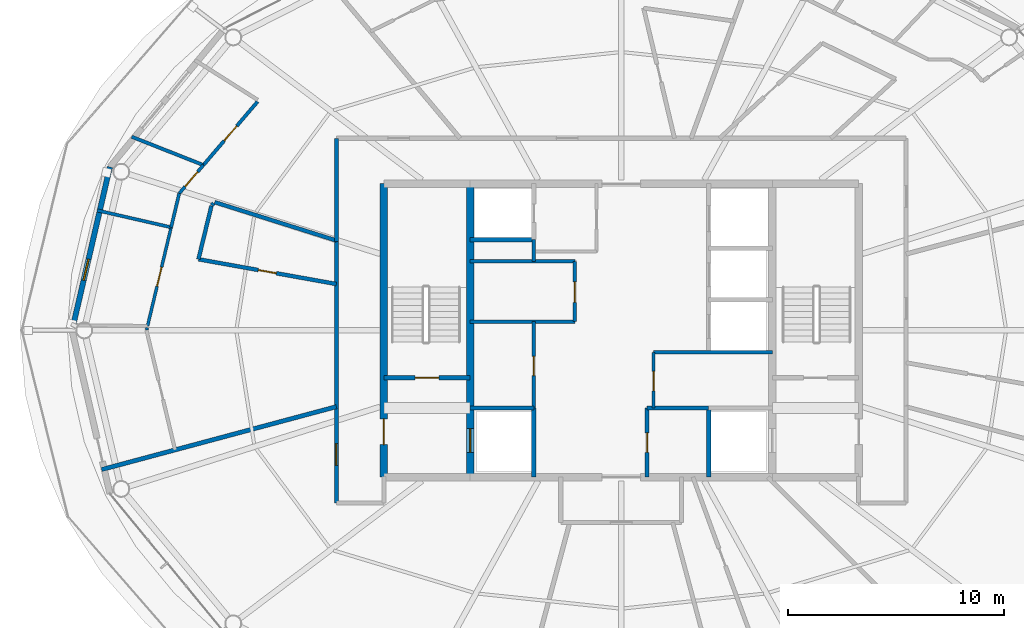
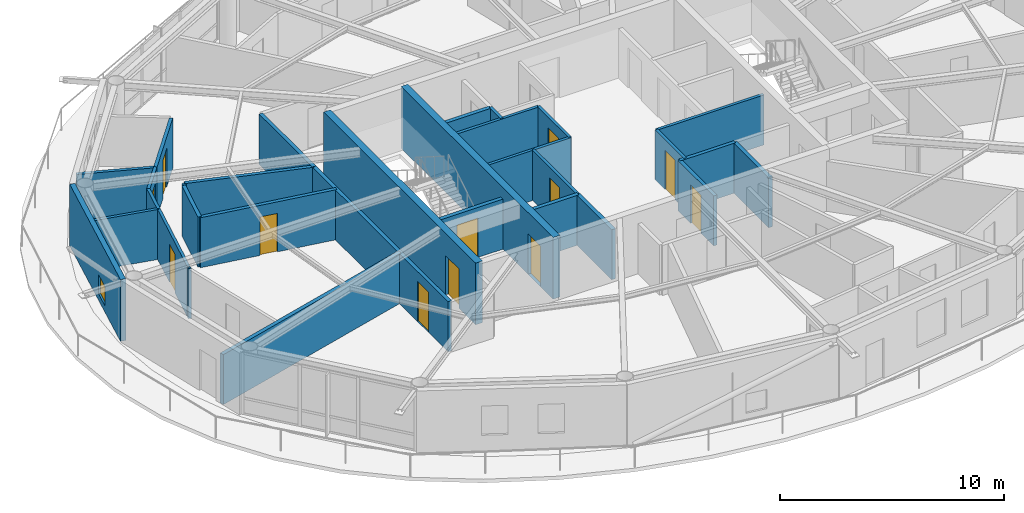
# One storey, part 16 of 23: 31 walls, 12 doors, 1 window, 13 openings.
"""IFC4 building model written with IfcOpenShell, lengths in metres."""

from ifc_helpers import new_model, si_unit, direction, frame, frame_2d, origin, place, context, subcontext, project, spatial, rectangle, extrude, material, layer, layer_set, type_object, element, fill, save


model = new_model("IFC4")

# Units and contexts
model_context = context("Model", 3, precision=1e-05, world=origin(), true_north=direction((0.0, 1.0)))
body_context = subcontext(model_context, "Body", "Model", "MODEL_VIEW")
ifc_project = project(units=[si_unit("LENGTHUNIT", "METRE"), si_unit("AREAUNIT", "SQUARE_METRE"), si_unit("VOLUMEUNIT", "CUBIC_METRE"), si_unit("PLANEANGLEUNIT", "RADIAN"), si_unit("MASSUNIT", "GRAM", prefix="KILO")], contexts=[model_context])

# Site, building, storey
site_placement = place(None, origin())
site = spatial("IfcSite", under=ifc_project, at=site_placement, CompositionType="ELEMENT")
building_placement = place(site_placement, origin())
building = spatial("IfcBuilding", under=site, at=building_placement, Name="Sarneth Arch Tower", CompositionType="ELEMENT")
storey_placement = place(building_placement, frame((0.0, 0.0, 265.800048828125)))
storey = spatial("IfcBuildingStorey", under=building, at=storey_placement, Name="L68", CompositionType="ELEMENT", Elevation=265.800048828125)

# Wall, opening, door
ifc_material_1 = material(Name="Concrete C50/60", Category="concrete")
ifc_layer_1 = layer(ifc_material_1, 0.35009765625)
ifc_layer_set_1 = layer_set([ifc_layer_1], Name="Concrete C50/60")
wall_type_1 = type_object("IfcWallType", Name="WALL-CORE-350", PredefinedType="SHEAR", material=ifc_layer_set_1)
wall_1_placement = place(storey_placement, frame((37.0, 35.199951171875, 0.0), z_axis=(0.0, 0.0, 1.0), x_axis=(0.0, 1.0, 0.0)))
wall_1 = element("IfcWall", 1, at=wall_1_placement, inside=storey, type_object=wall_type_1, Name="L68 Core shear wall W", PredefinedType="SHEAR", context=body_context, shape_type="SweptSolid", body=[
    extrude(rectangle(XDim=13.60009765625, YDim=0.35009765625, at=frame_2d((6.800048828125, 0.0))), origin(), (0.0, 0.0, 1.0), 3.369873046875),
])
opening_1_placement = place(wall_1_placement, frame((1.5, 0.0, 0.0)))
opening_1 = element("IfcOpeningElement", 2, at=opening_1_placement, cuts=wall_1, Name="Opening FD-02", PredefinedType="OPENING", context=body_context, shape_type="SweptSolid", body=[
    extrude(rectangle(XDim=1.199951171875, YDim=2.14990234375, at=frame_2d((0.60009765625, 1.074951171875))), frame((0.0, 0.18505859375, 0.0), z_axis=(0.0, -1.0, 0.0), x_axis=(1.0, 0.0, 0.0)), (0.0, 0.0, 1.0), 0.3701171875),
])
ifc_material_2 = material(Name="Galvanised Steel S275 fire door set", Category="steel")
door_type_1 = type_object("IfcDoorType", Name="DR-FD90-1200", OperationType="SINGLE_SWING_LEFT", PredefinedType="DOOR", material=ifc_material_2)
door_1_placement = place(opening_1_placement, origin())
door_1 = element("IfcDoor", 3, at=door_1_placement, inside=storey, type_object=door_type_1, Name="L68 Firefighting lobby 1 exit door", OperationType="SINGLE_SWING_LEFT", OverallHeight=2.14990234375, OverallWidth=1.199951171875, PredefinedType="DOOR", context=body_context, shape_type="SweptSolid", body=[
    extrude(rectangle(XDim=1.199951171875, YDim=2.14990234375, at=frame_2d((0.60009765625, 1.074951171875))), frame((0.0, 0.02490234375, 0.0), z_axis=(0.0, -1.0, 0.0), x_axis=(1.0, 0.0, 0.0)), (0.0, 0.0, 1.0), 0.050048828125),
])
fill(opening_1, door_1)

wall_2_placement = place(storey_placement, frame((41.0, 35.199951171875, 0.0), z_axis=(0.0, 0.0, 1.0), x_axis=(0.0, 1.0, 0.0)))
wall_2 = element("IfcWall", 4, at=wall_2_placement, inside=storey, type_object=wall_type_1, Name="L68 Core shear wall WEB-W", PredefinedType="SHEAR", context=body_context, shape_type="SweptSolid", body=[
    extrude(rectangle(XDim=13.60009765625, YDim=0.35009765625, at=frame_2d((6.800048828125, 0.0))), origin(), (0.0, 0.0, 1.0), 3.369873046875),
])
opening_2_placement = place(wall_2_placement, frame((1.14990234375, 0.0, 0.0)))
opening_2 = element("IfcOpeningElement", 5, at=opening_2_placement, cuts=wall_2, Name="Opening LD-1", PredefinedType="OPENING", context=body_context, shape_type="SweptSolid", body=[
    extrude(rectangle(XDim=1.10009765625, YDim=2.199951171875, at=frame_2d((0.550048828125, 1.10009765625))), frame((0.0, 0.18505859375, 0.0), z_axis=(0.0, -1.0, 0.0), x_axis=(1.0, 0.0, 0.0)), (0.0, 0.0, 1.0), 0.3701171875),
])
ifc_material_3 = material(Name="Brushed Stainless Steel 304 lift landing door", Category="steel")
door_type_2 = type_object("IfcDoorType", Name="DR-LIFT-SLIDE-1100", OperationType="SLIDING_TO_LEFT", PredefinedType="DOOR", material=ifc_material_3)
door_2_placement = place(opening_2_placement, origin())
door_2 = element("IfcDoor", 6, at=door_2_placement, inside=storey, type_object=door_type_2, Name="L68 Firefighting lift landing door FL-1", OperationType="SLIDING_TO_LEFT", OverallHeight=2.199951171875, OverallWidth=1.10009765625, PredefinedType="DOOR", context=body_context, shape_type="SweptSolid", body=[
    extrude(rectangle(XDim=1.10009765625, YDim=2.199951171875, at=frame_2d((0.550048828125, 1.10009765625))), frame((0.0, 0.02490234375, 0.0), z_axis=(0.0, -1.0, 0.0), x_axis=(1.0, 0.0, 0.0)), (0.0, 0.0, 1.0), 0.050048828125),
])
fill(opening_2, door_2)

ifc_material_4 = material(Name="Double steel-stud corridor fire wall", Category="steel")
ifc_layer_2 = layer(ifc_material_4, 0.18994140625)
ifc_layer_set_2 = layer_set([ifc_layer_2], Name="Double steel-stud corridor fire wall")
wall_type_2 = type_object("IfcWallType", Name="WALL-CORR-190", PredefinedType="PARTITIONING", material=ifc_layer_set_2)
wall_3_placement = place(storey_placement, frame((34.800048828125, 34.0, 0.0), z_axis=(0.0, 0.0, 1.0), x_axis=(0.0, 1.0, 0.0)))
wall_3 = element("IfcWall", 7, at=wall_3_placement, inside=storey, type_object=wall_type_2, Name="L68 Interior partition W-L68-TP-007", PredefinedType="PARTITIONING", context=body_context, shape_type="SweptSolid", body=[
    extrude(rectangle(XDim=12.195556640625, YDim=0.18994140625, at=frame_2d((6.09765625, 0.0))), origin(), (0.0, 0.0, 1.0), 2.72998046875),
])
opening_3_placement = place(wall_3_placement, frame((1.748046875, 0.0, 0.0)))
opening_3 = element("IfcOpeningElement", 8, at=opening_3_placement, cuts=wall_3, Name="Opening FD-08", PredefinedType="OPENING", context=body_context, shape_type="SweptSolid", body=[
    extrude(rectangle(XDim=1.0, YDim=2.199951171875, at=frame_2d((0.5, 1.10009765625))), frame((0.0, 0.10498046875, 0.0), z_axis=(0.0, -1.0, 0.0), x_axis=(1.0, 0.0, 0.0)), (0.0, 0.0, 1.0), 0.2099609375),
])
ifc_material_5 = material(Name="Hardwood timber acoustic fire door", Category="wood")
door_type_3 = type_object("IfcDoorType", Name="DR-FD60-1000", OperationType="SINGLE_SWING_LEFT", PredefinedType="DOOR", material=ifc_material_5)
door_3_placement = place(opening_3_placement, origin())
door_3 = element("IfcDoor", 9, at=door_3_placement, inside=storey, type_object=door_type_3, Name="L68 Interior door DR-L68-RAMN-04", OperationType="SINGLE_SWING_LEFT", OverallHeight=2.199951171875, OverallWidth=1.0, PredefinedType="DOOR", context=body_context, shape_type="SweptSolid", body=[
    extrude(rectangle(XDim=1.0, YDim=2.199951171875, at=frame_2d((0.5, 1.10009765625))), frame((0.0, 0.02490234375, 0.0), z_axis=(0.0, -1.0, 0.0), x_axis=(1.0, 0.0, 0.0)), (0.0, 0.0, 1.0), 0.050048828125),
])
fill(opening_3, door_3)

# Wall
wall_4_placement = place(storey_placement, frame((34.800048828125, 46.12841796875, 0.0), z_axis=(0.0, 0.0, 1.0), x_axis=(0.0, 1.0, 0.0)))
element("IfcWall", 10, at=wall_4_placement, inside=storey, type_object=wall_type_2, Name="L68 Interior partition W-L68-TP-008", PredefinedType="PARTITIONING", context=body_context, shape_type="SweptSolid", body=[
    extrude(rectangle(XDim=4.771484375, YDim=0.18994140625, at=frame_2d((2.3857421875, 0.0))), origin(), (0.0, 0.0, 1.0), 2.72998046875),
])

# Wall, opening, window
ifc_material_6 = material(Name="Extruded terracotta rainscreen on Concrete C40/50 backing", Category="masonry")
ifc_layer_3 = layer(ifc_material_6, 0.25)
ifc_layer_set_3 = layer_set([ifc_layer_3], Name="Extruded terracotta rainscreen on Concrete C40/50 backing")
wall_type_3 = type_object("IfcWallType", Name="WALL-EXT-SPAND-250", PredefinedType="SOLIDWALL", material=ifc_layer_set_3)
wall_5_placement = place(storey_placement, frame((24.30615234375, 49.569580078125, 0.0), z_axis=(0.0, 0.0, 1.0), x_axis=(-0.225635078214, -0.974211892495, 0.0)))
wall_5 = element("IfcWall", 11, at=wall_5_placement, inside=storey, type_object=wall_type_3, Name="L68 Terracotta perimeter wall 08", PredefinedType="SOLIDWALL", context=body_context, shape_type="SweptSolid", body=[
    extrude(rectangle(XDim=7.77001953125, YDim=0.25, at=frame_2d((3.885009765625, 0.0))), origin(), (0.0, 0.0, 1.0), 3.369873046875),
])
opening_4_placement = place(wall_5_placement, frame((4.390625, 0.0, 0.35009765625)))
opening_4 = element("IfcOpeningElement", 12, at=opening_4_placement, cuts=wall_5, Name="Opening W-14", PredefinedType="OPENING", context=body_context, shape_type="SweptSolid", body=[
    extrude(rectangle(XDim=1.0, YDim=1.050048828125, at=frame_2d((0.5, 0.52490234375))), frame((0.0, 0.135009765625, 0.0), z_axis=(0.0, -1.0, 0.0), x_axis=(1.0, 0.0, 0.0)), (0.0, 0.0, 1.0), 0.27001953125),
])
ifc_material_7 = material(Name="Thermally broken Aluminium 6063-T6 and low-e laminated IGU", Category="aluminium")
window_type = type_object("IfcWindowType", Name="WIN-TWR-1000x1050", PartitioningType="SINGLE_PANEL", PredefinedType="WINDOW", material=ifc_material_7)
window_placement = place(opening_4_placement, origin())
window = element("IfcWindow", 13, at=window_placement, inside=storey, type_object=window_type, Name="L68 Dwelling bedroom window 03", OverallHeight=1.050048828125, OverallWidth=1.0, PartitioningType="SINGLE_PANEL", PredefinedType="WINDOW", context=body_context, shape_type="SweptSolid", body=[
    extrude(rectangle(XDim=1.0, YDim=1.050048828125, at=frame_2d((0.5, 0.52490234375))), frame((0.0, 0.030029296875, 0.0), z_axis=(0.0, -1.0, 0.0), x_axis=(1.0, 0.0, 0.0)), (0.0, 0.0, 1.0), 0.06005859375),
])
fill(opening_4, window)

# Wall, opening, door
ifc_material_8 = material(Name="Apartment internal stud partition", Category="gypsum")
ifc_layer_4 = layer(ifc_material_8, 0.139892578125)
ifc_layer_set_4 = layer_set([ifc_layer_4], Name="Apartment internal stud partition")
wall_type_4 = type_object("IfcWallType", Name="WALL-PART-140", PredefinedType="PARTITIONING", material=ifc_layer_set_4)
wall_6_placement = place(storey_placement, frame((27.14404296875, 46.774658203125, 0.0), z_axis=(0.0, 0.0, 1.0), x_axis=(-0.232320140936, -0.972639374134, 0.0)))
wall_6 = element("IfcWall", 14, at=wall_6_placement, inside=storey, type_object=wall_type_4, Name="L68 Interior partition W-L68-TP-064", PredefinedType="PARTITIONING", context=body_context, shape_type="SweptSolid", body=[
    extrude(rectangle(XDim=4.70166015625, YDim=0.139892578125, at=frame_2d((2.350830078125, 0.0))), origin(), (0.0, 0.0, 1.0), 2.72998046875),
])
opening_5_placement = place(wall_6_placement, frame((1.90087890625, 0.0, 0.0)))
opening_5 = element("IfcOpeningElement", 15, at=opening_5_placement, cuts=wall_6, Name="Opening ID-01", PredefinedType="OPENING", context=body_context, shape_type="SweptSolid", body=[
    extrude(rectangle(XDim=0.89990234375, YDim=2.10009765625, at=frame_2d((0.449951171875, 1.050048828125))), frame((0.0, 0.079833984375, 0.0), z_axis=(0.0, -1.0, 0.0), x_axis=(1.0, 0.0, 0.0)), (0.0, 0.0, 1.0), 0.159912109375),
])
ifc_material_9 = material(Name="Engineered hardwood flush door", Category="wood")
door_type_4 = type_object("IfcDoorType", Name="DR-INT-900", OperationType="SINGLE_SWING_LEFT", PredefinedType="DOOR", material=ifc_material_9)
door_4_placement = place(opening_5_placement, origin())
door_4 = element("IfcDoor", 16, at=door_4_placement, inside=storey, type_object=door_type_4, Name="L68 Interior door DR-L68-U3-BED1", OperationType="SINGLE_SWING_RIGHT", OverallHeight=2.10009765625, OverallWidth=0.89990234375, PredefinedType="DOOR", context=body_context, shape_type="SweptSolid", body=[
    extrude(rectangle(XDim=0.89990234375, YDim=2.10009765625, at=frame_2d((0.449951171875, 1.050048828125))), frame((0.0, 0.02490234375, 0.0), z_axis=(0.0, -1.0, 0.0), x_axis=(1.0, 0.0, 0.0)), (0.0, 0.0, 1.0), 0.050048828125),
])
fill(opening_5, door_4)

ifc_material_10 = material(Name="Acoustic gypsum stud partition", Category="gypsum")
ifc_layer_5 = layer(ifc_material_10, 0.14990234375)
ifc_layer_set_5 = layer_set([ifc_layer_5], Name="Acoustic gypsum stud partition")
wall_type_5 = type_object("IfcWallType", Name="WALL-PART-150", PredefinedType="PARTITIONING", material=ifc_layer_set_5)
wall_7_placement = place(storey_placement, frame((43.949951171875, 38.39990234375, 0.0), z_axis=(0.0, 0.0, 1.0), x_axis=(0.0, 1.0, 0.0)))
wall_7 = element("IfcWall", 17, at=wall_7_placement, inside=storey, type_object=wall_type_5, Name="L68 Interior partition W-L68-RECPL-E", PredefinedType="PARTITIONING", context=body_context, shape_type="SweptSolid", body=[
    extrude(rectangle(XDim=4.0, YDim=0.14990234375, at=frame_2d((2.0, 0.0))), origin(), (0.0, 0.0, 1.0), 2.72998046875),
])
opening_6_placement = place(wall_7_placement, frame((1.5, 0.0, 0.0)))
opening_6 = element("IfcOpeningElement", 18, at=opening_6_placement, cuts=wall_7, Name="Opening FD-10", PredefinedType="OPENING", context=body_context, shape_type="SweptSolid", body=[
    extrude(rectangle(XDim=0.89990234375, YDim=2.14990234375, at=frame_2d((0.449951171875, 1.074951171875))), frame((0.0, 0.0849609375, 0.0), z_axis=(0.0, -1.0, 0.0), x_axis=(1.0, 0.0, 0.0)), (0.0, 0.0, 1.0), 0.169921875),
])
ifc_material_11 = material(Name="Galvanised Steel S275 riser/service fire door", Category="steel")
door_type_5 = type_object("IfcDoorType", Name="DR-FD60-900", OperationType="SINGLE_SWING_LEFT", PredefinedType="DOOR", material=ifc_material_11)
door_5_placement = place(opening_6_placement, origin())
door_5 = element("IfcDoor", 19, at=door_5_placement, inside=storey, type_object=door_type_5, Name="L68 Interior door DR-L68-RECPL", OperationType="SINGLE_SWING_LEFT", OverallHeight=2.14990234375, OverallWidth=0.89990234375, PredefinedType="DOOR", context=body_context, shape_type="SweptSolid", body=[
    extrude(rectangle(XDim=0.89990234375, YDim=2.14990234375, at=frame_2d((0.449951171875, 1.074951171875))), frame((0.0, 0.02490234375, 0.0), z_axis=(0.0, -1.0, 0.0), x_axis=(1.0, 0.0, 0.0)), (0.0, 0.0, 1.0), 0.050048828125),
])
fill(opening_6, door_5)

# Walls
for number, where, z_axis, x_axis, name in (
    (20, (41.0, 42.39990234375, 0.0), (0.0, 0.0, 1.0), (1.0, 0.0, 0.0), "L68 Interior partition W-L68-RECPM1-S"),
    (21, (41.0, 45.199951171875, 0.0), (0.0, 0.0, 1.0), (1.0, 0.0, 0.0), "L68 Interior partition W-L68-RECPM1-N"),
):
    element("IfcWall", number, at=place(storey_placement, frame(where, z_axis=z_axis, x_axis=x_axis)), inside=storey, type_object=wall_type_5, Name=name, PredefinedType="PARTITIONING", context=body_context, shape_type="SweptSolid", body=[
        extrude(rectangle(XDim=4.85009765625, YDim=0.14990234375, at=frame_2d((2.425048828125, 0.0))), origin(), (0.0, 0.0, 1.0), 2.72998046875),
    ])
wall_8_placement = place(storey_placement, frame((43.949951171875, 45.199951171875, 0.0), z_axis=(0.0, 0.0, 1.0), x_axis=(0.0, 1.0, 0.0)))
element("IfcWall", 22, at=wall_8_placement, inside=storey, type_object=wall_type_5, Name="L68 Interior partition W-L68-RECPM1-W2", PredefinedType="PARTITIONING", context=body_context, shape_type="SweptSolid", body=[
    extrude(rectangle(XDim=1.0, YDim=0.14990234375, at=frame_2d((0.5, 0.0))), origin(), (0.0, 0.0, 1.0), 2.72998046875),
])

# Wall, opening, door
wall_9_placement = place(storey_placement, frame((45.85009765625, 42.39990234375, 0.0), z_axis=(0.0, 0.0, 1.0), x_axis=(0.0, 1.0, 0.0)))
wall_9 = element("IfcWall", 23, at=wall_9_placement, inside=storey, type_object=wall_type_5, Name="L68 Interior partition W-L68-RECPM1-E", PredefinedType="PARTITIONING", context=body_context, shape_type="SweptSolid", body=[
    extrude(rectangle(XDim=2.800048828125, YDim=0.14990234375, at=frame_2d((1.39990234375, 0.0))), origin(), (0.0, 0.0, 1.0), 2.72998046875),
])
opening_7_placement = place(wall_9_placement, frame((0.89990234375, 0.0, 0.0)))
opening_7 = element("IfcOpeningElement", 24, at=opening_7_placement, cuts=wall_9, Name="Opening FD-09", PredefinedType="OPENING", context=body_context, shape_type="SweptSolid", body=[
    extrude(rectangle(XDim=0.949951171875, YDim=2.14990234375, at=frame_2d((0.47509765625, 1.074951171875))), frame((0.0, 0.0849609375, 0.0), z_axis=(0.0, -1.0, 0.0), x_axis=(1.0, 0.0, 0.0)), (0.0, 0.0, 1.0), 0.169921875),
])
ifc_material_12 = material(Name="Hardwood timber hotel entrance fire door", Category="wood")
door_type_6 = type_object("IfcDoorType", Name="DR-FD60-950", OperationType="SINGLE_SWING_RIGHT", PredefinedType="DOOR", material=ifc_material_12)
door_6_placement = place(opening_7_placement, origin())
door_6 = element("IfcDoor", 25, at=door_6_placement, inside=storey, type_object=door_type_6, Name="L68 Interior door DR-L68-RECPM1", OperationType="SINGLE_SWING_RIGHT", OverallHeight=2.14990234375, OverallWidth=0.949951171875, PredefinedType="DOOR", context=body_context, shape_type="SweptSolid", body=[
    extrude(rectangle(XDim=0.949951171875, YDim=2.14990234375, at=frame_2d((0.47509765625, 1.074951171875))), frame((0.0, 0.02490234375, 0.0), z_axis=(0.0, -1.0, 0.0), x_axis=(1.0, 0.0, 0.0)), (0.0, 0.0, 1.0), 0.050048828125),
])
fill(opening_7, door_6)

# Wall
wall_10_placement = place(storey_placement, frame((49.5, 40.97998046875, 0.0), z_axis=(0.0, 0.0, 1.0), x_axis=(1.0, 0.0, 0.0)))
element("IfcWall", 26, at=wall_10_placement, inside=storey, type_object=wall_type_5, Name="L68 Interior partition W-L68-RECPM2-N", PredefinedType="PARTITIONING", context=body_context, shape_type="SweptSolid", body=[
    extrude(rectangle(XDim=5.5, YDim=0.14990234375, at=frame_2d((2.75, 0.0))), origin(), (0.0, 0.0, 1.0), 2.72998046875),
])

# Wall, opening, door
wall_11_placement = place(storey_placement, frame((49.5, 38.39990234375, 0.0), z_axis=(0.0, 0.0, 1.0), x_axis=(0.0, 1.0, 0.0)))
wall_11 = element("IfcWall", 27, at=wall_11_placement, inside=storey, type_object=wall_type_5, Name="L68 Interior partition W-L68-RECPM2-W", PredefinedType="PARTITIONING", context=body_context, shape_type="SweptSolid", body=[
    extrude(rectangle(XDim=2.580078125, YDim=0.14990234375, at=frame_2d((1.2900390625, 0.0))), origin(), (0.0, 0.0, 1.0), 2.72998046875),
])
opening_8_placement = place(wall_11_placement, frame((0.800048828125, 0.0, 0.0)))
opening_8 = element("IfcOpeningElement", 28, at=opening_8_placement, cuts=wall_11, Name="Opening FD-10", PredefinedType="OPENING", context=body_context, shape_type="SweptSolid", body=[
    extrude(rectangle(XDim=0.89990234375, YDim=2.14990234375, at=frame_2d((0.449951171875, 1.074951171875))), frame((0.0, 0.0849609375, 0.0), z_axis=(0.0, -1.0, 0.0), x_axis=(1.0, 0.0, 0.0)), (0.0, 0.0, 1.0), 0.169921875),
])
door_7_placement = place(opening_8_placement, origin())
door_7 = element("IfcDoor", 29, at=door_7_placement, inside=storey, type_object=door_type_5, Name="L68 Interior door DR-L68-RECPM2", OperationType="SINGLE_SWING_LEFT", OverallHeight=2.14990234375, OverallWidth=0.89990234375, PredefinedType="DOOR", context=body_context, shape_type="SweptSolid", body=[
    extrude(rectangle(XDim=0.89990234375, YDim=2.14990234375, at=frame_2d((0.449951171875, 1.074951171875))), frame((0.0, 0.02490234375, 0.0), z_axis=(0.0, -1.0, 0.0), x_axis=(1.0, 0.0, 0.0)), (0.0, 0.0, 1.0), 0.050048828125),
])
fill(opening_8, door_7)

# Wall
wall_12_placement = place(storey_placement, frame((23.71728515625, 47.55908203125, 0.0), z_axis=(0.0, 0.0, 1.0), x_axis=(0.974786474408, -0.223139708056, 0.0)))
element("IfcWall", 30, at=wall_12_placement, inside=storey, type_object=wall_type_5, Name="L68 Interior partition W-L68-TP-069", PredefinedType="PARTITIONING", context=body_context, shape_type="SweptSolid", body=[
    extrude(rectangle(XDim=3.515380859375, YDim=0.14990234375, at=frame_2d((1.7578125, 0.0))), origin(), (0.0, 0.0, 1.0), 2.72998046875),
])

# Wall, opening, door
wall_13_placement = place(storey_placement, frame((28.63916015625, 49.6572265625, 0.0), z_axis=(0.0, 0.0, 1.0), x_axis=(-0.649228439324, -0.760593474579, 0.0)))
wall_13 = element("IfcWall", 31, at=wall_13_placement, inside=storey, type_object=wall_type_5, Name="L68 Interior partition W-L68-TP-056", PredefinedType="PARTITIONING", context=body_context, shape_type="SweptSolid", body=[
    extrude(rectangle(XDim=1.725341796875, YDim=0.14990234375, at=frame_2d((0.86279296875, 0.0))), origin(), (0.0, 0.0, 1.0), 2.72998046875),
])
opening_9_placement = place(wall_13_placement, frame((0.41259765625, 0.0, 0.0)))
opening_9 = element("IfcOpeningElement", 32, at=opening_9_placement, cuts=wall_13, Name="Opening ID-01", PredefinedType="OPENING", context=body_context, shape_type="SweptSolid", body=[
    extrude(rectangle(XDim=0.89990234375, YDim=2.10009765625, at=frame_2d((0.449951171875, 1.050048828125))), frame((0.0, 0.0849609375, 0.0), z_axis=(0.0, -1.0, 0.0), x_axis=(1.0, 0.0, 0.0)), (0.0, 0.0, 1.0), 0.169921875),
])
door_8_placement = place(opening_9_placement, origin())
door_8 = element("IfcDoor", 33, at=door_8_placement, inside=storey, type_object=door_type_4, Name="L68 Interior door DR-L68-U3-STD", OperationType="SINGLE_SWING_RIGHT", OverallHeight=2.10009765625, OverallWidth=0.89990234375, PredefinedType="DOOR", context=body_context, shape_type="SweptSolid", body=[
    extrude(rectangle(XDim=0.89990234375, YDim=2.10009765625, at=frame_2d((0.449951171875, 1.050048828125))), frame((0.0, 0.02490234375, 0.0), z_axis=(0.0, -1.0, 0.0), x_axis=(1.0, 0.0, 0.0)), (0.0, 0.0, 1.0), 0.050048828125),
])
fill(opening_9, door_8)

# Walls
wall_14_placement = place(storey_placement, frame((27.51904296875, 48.344970703125, 0.0), z_axis=(0.0, 0.0, 1.0), x_axis=(-0.232274682056, -0.972650231109, 0.0)))
element("IfcWall", 34, at=wall_14_placement, inside=storey, type_object=wall_type_5, Name="L68 Interior partition W-L68-TP-057", PredefinedType="PARTITIONING", context=body_context, shape_type="SweptSolid", body=[
    extrude(rectangle(XDim=1.614501953125, YDim=0.14990234375, at=frame_2d((0.80712890625, 0.0))), origin(), (0.0, 0.0, 1.0), 2.72998046875),
])
wall_15_placement = place(storey_placement, frame((26.033203125, 42.123779296875, 0.0), z_axis=(0.0, 0.0, 1.0), x_axis=(-0.232339008139, -0.972634867407, 0.0)))
element("IfcWall", 35, at=wall_15_placement, inside=storey, type_object=wall_type_5, Name="L68 Interior partition W-L68-TP-065", PredefinedType="PARTITIONING", context=body_context, shape_type="SweptSolid", body=[
    extrude(rectangle(XDim=0.107177734375, YDim=0.14990234375, at=frame_2d((0.0537109375, 0.0))), origin(), (0.0, 0.0, 1.0), 2.72998046875),
])

# Wall, opening, door
ifc_material_13 = material(Name="Kitchen wet service chase wall", Category="gypsum")
ifc_layer_6 = layer(ifc_material_13, 0.159912109375)
ifc_layer_set_6 = layer_set([ifc_layer_6], Name="Kitchen wet service chase wall")
wall_type_6 = type_object("IfcWallType", Name="WALL-PLUMB-160", PredefinedType="PLUMBINGWALL", material=ifc_layer_set_6)
wall_16_placement = place(storey_placement, frame((31.14990234375, 52.598876953125, 0.0), z_axis=(0.0, 0.0, 1.0), x_axis=(-0.649199141965, -0.760618481285, 0.0)))
wall_16 = element("IfcWall", 36, at=wall_16_placement, inside=storey, type_object=wall_type_6, Name="L68 Interior partition W-L68-TP-059", PredefinedType="PLUMBINGWALL", context=body_context, shape_type="SweptSolid", body=[
    extrude(rectangle(XDim=3.867431640625, YDim=0.159912109375, at=frame_2d((1.93359375, 0.0))), origin(), (0.0, 0.0, 1.0), 2.72998046875),
])
opening_10_placement = place(wall_16_placement, frame((1.48388671875, 0.0, 0.0)))
opening_10 = element("IfcOpeningElement", 37, at=opening_10_placement, cuts=wall_16, Name="Opening ID-01", PredefinedType="OPENING", context=body_context, shape_type="SweptSolid", body=[
    extrude(rectangle(XDim=0.89990234375, YDim=2.10009765625, at=frame_2d((0.449951171875, 1.050048828125))), frame((0.0, 0.08984375, 0.0), z_axis=(0.0, -1.0, 0.0), x_axis=(1.0, 0.0, 0.0)), (0.0, 0.0, 1.0), 0.179931640625),
])
door_9_placement = place(opening_10_placement, origin())
door_9 = element("IfcDoor", 38, at=door_9_placement, inside=storey, type_object=door_type_4, Name="L68 Interior door DR-L68-U3-KIT", OperationType="SINGLE_SWING_RIGHT", OverallHeight=2.10009765625, OverallWidth=0.89990234375, PredefinedType="DOOR", context=body_context, shape_type="SweptSolid", body=[
    extrude(rectangle(XDim=0.89990234375, YDim=2.10009765625, at=frame_2d((0.449951171875, 1.050048828125))), frame((0.0, 0.02490234375, 0.0), z_axis=(0.0, -1.0, 0.0), x_axis=(1.0, 0.0, 0.0)), (0.0, 0.0, 1.0), 0.050048828125),
])
fill(opening_10, door_9)

# Walls
wall_17_placement = place(storey_placement, frame((25.318115234375, 50.970703125, 0.0), z_axis=(0.0, 0.0, 1.0), x_axis=(0.929912335167, -0.36778125143, 0.0)))
element("IfcWall", 39, at=wall_17_placement, inside=storey, type_object=wall_type_6, Name="L68 Interior partition W-L68-TP-068", PredefinedType="PLUMBINGWALL", context=body_context, shape_type="SweptSolid", body=[
    extrude(rectangle(XDim=3.5712890625, YDim=0.159912109375, at=frame_2d((1.78564453125, 0.0))), origin(), (0.0, 0.0, 1.0), 2.72998046875),
])
ifc_material_14 = material(Name="Moisture-resistant plumbing chase wall", Category="gypsum")
ifc_layer_7 = layer(ifc_material_14, 0.179931640625)
ifc_layer_set_7 = layer_set([ifc_layer_7], Name="Moisture-resistant plumbing chase wall")
wall_type_7 = type_object("IfcWallType", Name="WALL-PLUMB-180", PredefinedType="PLUMBINGWALL", material=ifc_layer_set_7)
wall_18_placement = place(storey_placement, frame((49.199951171875, 38.39990234375, 0.0), z_axis=(0.0, 0.0, 1.0), x_axis=(1.0, 0.0, 0.0)))
element("IfcWall", 40, at=wall_18_placement, inside=storey, type_object=wall_type_7, Name="L68 Interior partition W-L68-AWC-N", PredefinedType="PLUMBINGWALL", context=body_context, shape_type="SweptSolid", body=[
    extrude(rectangle(XDim=2.85009765625, YDim=0.179931640625, at=frame_2d((1.425048828125, 0.0))), origin(), (0.0, 0.0, 1.0), 2.72998046875),
])

# Wall, opening, door
wall_19_placement = place(storey_placement, frame((49.199951171875, 35.199951171875, 0.0), z_axis=(0.0, 0.0, 1.0), x_axis=(0.0, 1.0, 0.0)))
wall_19 = element("IfcWall", 41, at=wall_19_placement, inside=storey, type_object=wall_type_7, Name="L68 Interior partition W-L68-AWC-W", PredefinedType="PLUMBINGWALL", context=body_context, shape_type="SweptSolid", body=[
    extrude(rectangle(XDim=3.199951171875, YDim=0.179931640625, at=frame_2d((1.60009765625, 0.0))), origin(), (0.0, 0.0, 1.0), 2.72998046875),
])
opening_11_placement = place(wall_19_placement, frame((1.14990234375, 0.0, 0.0)))
opening_11 = element("IfcOpeningElement", 42, at=opening_11_placement, cuts=wall_19, Name="Opening ID-01", PredefinedType="OPENING", context=body_context, shape_type="SweptSolid", body=[
    extrude(rectangle(XDim=0.89990234375, YDim=2.10009765625, at=frame_2d((0.449951171875, 1.050048828125))), frame((0.0, 0.099853515625, 0.0), z_axis=(0.0, -1.0, 0.0), x_axis=(1.0, 0.0, 0.0)), (0.0, 0.0, 1.0), 0.199951171875),
])
door_10_placement = place(opening_11_placement, origin())
door_10 = element("IfcDoor", 43, at=door_10_placement, inside=storey, type_object=door_type_4, Name="L68 Interior door DR-L68-AWC", OperationType="SINGLE_SWING_RIGHT", OverallHeight=2.10009765625, OverallWidth=0.89990234375, PredefinedType="DOOR", context=body_context, shape_type="SweptSolid", body=[
    extrude(rectangle(XDim=0.89990234375, YDim=2.10009765625, at=frame_2d((0.449951171875, 1.050048828125))), frame((0.0, 0.02490234375, 0.0), z_axis=(0.0, -1.0, 0.0), x_axis=(1.0, 0.0, 0.0)), (0.0, 0.0, 1.0), 0.050048828125),
])
fill(opening_11, door_10)

wall_20_placement = place(storey_placement, frame((28.409423828125, 45.2939453125, 0.0), z_axis=(0.0, 0.0, 1.0), x_axis=(0.984253263435, -0.176764004867, 0.0)))
wall_20 = element("IfcWall", 44, at=wall_20_placement, inside=storey, type_object=wall_type_7, Name="L68 Interior partition W-L68-TP-063", PredefinedType="PLUMBINGWALL", context=body_context, shape_type="SweptSolid", body=[
    extrude(rectangle(XDim=6.492919921875, YDim=0.179931640625, at=frame_2d((3.24658203125, 0.0))), origin(), (0.0, 0.0, 1.0), 2.72998046875),
])
opening_12_placement = place(wall_20_placement, frame((2.8212890625, 0.0, 0.0)))
opening_12 = element("IfcOpeningElement", 45, at=opening_12_placement, cuts=wall_20, Name="Opening ID-02", PredefinedType="OPENING", context=body_context, shape_type="SweptSolid", body=[
    extrude(rectangle(XDim=0.85009765625, YDim=2.10009765625, at=frame_2d((0.425048828125, 1.050048828125))), frame((0.0, 0.099853515625, 0.0), z_axis=(0.0, -1.0, 0.0), x_axis=(1.0, 0.0, 0.0)), (0.0, 0.0, 1.0), 0.199951171875),
])
ifc_material_15 = material(Name="Moisture-resistant bathroom timber door", Category="wood")
door_type_7 = type_object("IfcDoorType", Name="DR-INT-850", OperationType="SINGLE_SWING_RIGHT", PredefinedType="DOOR", material=ifc_material_15)
door_11_placement = place(opening_12_placement, origin())
door_11 = element("IfcDoor", 46, at=door_11_placement, inside=storey, type_object=door_type_7, Name="L68 Interior door DR-L68-U3-BATH", OperationType="SINGLE_SWING_RIGHT", OverallHeight=2.10009765625, OverallWidth=0.85009765625, PredefinedType="DOOR", context=body_context, shape_type="SweptSolid", body=[
    extrude(rectangle(XDim=0.85009765625, YDim=2.10009765625, at=frame_2d((0.425048828125, 1.050048828125))), frame((0.0, 0.02490234375, 0.0), z_axis=(0.0, -1.0, 0.0), x_axis=(1.0, 0.0, 0.0)), (0.0, 0.0, 1.0), 0.050048828125),
])
fill(opening_12, door_11)

# Walls
wall_21_placement = place(storey_placement, frame((34.800048828125, 46.161865234375, 0.0), z_axis=(0.0, 0.0, 1.0), x_axis=(-0.953717336958, 0.3007045746, 0.0)))
element("IfcWall", 47, at=wall_21_placement, inside=storey, type_object=wall_type_7, Name="L68 Interior partition W-L68-TP-060", PredefinedType="PLUMBINGWALL", context=body_context, shape_type="SweptSolid", body=[
    extrude(rectangle(XDim=5.913818359375, YDim=0.179931640625, at=frame_2d((2.95703125, 0.0))), origin(), (0.0, 0.0, 1.0), 2.72998046875),
])
wall_22_placement = place(storey_placement, frame((29.012451171875, 47.77099609375, 0.0), z_axis=(0.0, 0.0, 1.0), x_axis=(-0.236537291112, -0.971622411183, 0.0)))
element("IfcWall", 48, at=wall_22_placement, inside=storey, type_object=wall_type_7, Name="L68 Interior partition W-L68-TP-062", PredefinedType="PLUMBINGWALL", context=body_context, shape_type="SweptSolid", body=[
    extrude(rectangle(XDim=2.54931640625, YDim=0.179931640625, at=frame_2d((1.274658203125, 0.0))), origin(), (0.0, 0.0, 1.0), 2.72998046875),
])
wall_23_placement = place(storey_placement, frame((29.115234375, 47.888916015625, 0.0), z_axis=(0.0, 0.0, 1.0), x_axis=(-0.657024535632, -0.753869192618, 0.0)))
element("IfcWall", 49, at=wall_23_placement, inside=storey, type_object=wall_type_7, Name="L68 Interior partition W-L68-TP-061", PredefinedType="PLUMBINGWALL", context=body_context, shape_type="SweptSolid", body=[
    extrude(rectangle(XDim=0.128662109375, YDim=0.179931640625, at=frame_2d((0.064453125, 0.0))), origin(), (0.0, 0.0, 1.0), 2.72998046875),
])

# Wall, opening, door
ifc_material_16 = material(Name="Aerated concrete blockwork C25/30", Category="masonry")
ifc_layer_8 = layer(ifc_material_16, 0.199951171875)
ifc_layer_set_8 = layer_set([ifc_layer_8], Name="Aerated concrete blockwork C25/30")
wall_type_8 = type_object("IfcWallType", Name="WALL-SHAFT-200", PredefinedType="SOLIDWALL", material=ifc_layer_set_8)
wall_24_placement = place(storey_placement, frame((37.0, 39.800048828125, 0.0), z_axis=(0.0, 0.0, 1.0), x_axis=(1.0, 0.0, 0.0)))
wall_24 = element("IfcWall", 50, at=wall_24_placement, inside=storey, type_object=wall_type_8, Name="L68 Interior partition W-L68-ST1-S", PredefinedType="SOLIDWALL", context=body_context, shape_type="SweptSolid", body=[
    extrude(rectangle(XDim=4.0, YDim=0.199951171875, at=frame_2d((2.0, 0.0))), origin(), (0.0, 0.0, 1.0), 2.72998046875),
])
opening_13_placement = place(wall_24_placement, frame((1.449951171875, 0.0, 0.0)))
opening_13 = element("IfcOpeningElement", 51, at=opening_13_placement, cuts=wall_24, Name="Opening FD-03", PredefinedType="OPENING", context=body_context, shape_type="SweptSolid", body=[
    extrude(rectangle(XDim=1.10009765625, YDim=2.14990234375, at=frame_2d((0.550048828125, 1.074951171875))), frame((0.0, 0.10986328125, 0.0), z_axis=(0.0, -1.0, 0.0), x_axis=(1.0, 0.0, 0.0)), (0.0, 0.0, 1.0), 0.219970703125),
])
ifc_material_17 = material(Name="Galvanised Steel S275 fire door set", Category="steel")
door_type_8 = type_object("IfcDoorType", Name="DR-FD90-1100", OperationType="SINGLE_SWING_LEFT", PredefinedType="DOOR", material=ifc_material_17)
door_12_placement = place(opening_13_placement, origin())
door_12 = element("IfcDoor", 52, at=door_12_placement, inside=storey, type_object=door_type_8, Name="L68 Interior door DR-L68-ST1", OperationType="SINGLE_SWING_LEFT", OverallHeight=2.14990234375, OverallWidth=1.10009765625, PredefinedType="DOOR", context=body_context, shape_type="SweptSolid", body=[
    extrude(rectangle(XDim=1.10009765625, YDim=2.14990234375, at=frame_2d((0.550048828125, 1.074951171875))), frame((0.0, 0.02490234375, 0.0), z_axis=(0.0, -1.0, 0.0), x_axis=(1.0, 0.0, 0.0)), (0.0, 0.0, 1.0), 0.050048828125),
])
fill(opening_13, door_12)

# Walls
wall_25_placement = place(storey_placement, frame((43.949951171875, 35.199951171875, 0.0), z_axis=(0.0, 0.0, 1.0), x_axis=(0.0, 1.0, 0.0)))
element("IfcWall", 53, at=wall_25_placement, inside=storey, type_object=wall_type_8, Name="L68 Interior partition W-L68-FL1-E", PredefinedType="SOLIDWALL", context=body_context, shape_type="SweptSolid", body=[
    extrude(rectangle(XDim=3.199951171875, YDim=0.199951171875, at=frame_2d((1.60009765625, 0.0))), origin(), (0.0, 0.0, 1.0), 2.72998046875),
])
wall_26_placement = place(storey_placement, frame((41.0, 38.39990234375, 0.0), z_axis=(0.0, 0.0, 1.0), x_axis=(1.0, 0.0, 0.0)))
element("IfcWall", 54, at=wall_26_placement, inside=storey, type_object=wall_type_8, Name="L68 Interior partition W-L68-FL1-N", PredefinedType="SOLIDWALL", context=body_context, shape_type="SweptSolid", body=[
    extrude(rectangle(XDim=2.949951171875, YDim=0.199951171875, at=frame_2d((1.47509765625, 0.0))), origin(), (0.0, 0.0, 1.0), 2.72998046875),
])
wall_27_placement = place(storey_placement, frame((52.050048828125, 35.199951171875, 0.0), z_axis=(0.0, 0.0, 1.0), x_axis=(0.0, 1.0, 0.0)))
element("IfcWall", 55, at=wall_27_placement, inside=storey, type_object=wall_type_8, Name="L68 Interior partition W-L68-FL2-W", PredefinedType="SOLIDWALL", context=body_context, shape_type="SweptSolid", body=[
    extrude(rectangle(XDim=3.199951171875, YDim=0.199951171875, at=frame_2d((1.60009765625, 0.0))), origin(), (0.0, 0.0, 1.0), 2.72998046875),
])
wall_28_placement = place(storey_placement, frame((41.0, 46.199951171875, 0.0), z_axis=(0.0, 0.0, 1.0), x_axis=(1.0, 0.0, 0.0)))
element("IfcWall", 56, at=wall_28_placement, inside=storey, type_object=wall_type_8, Name="L68 Interior partition W-L68-RISER-S", PredefinedType="SOLIDWALL", context=body_context, shape_type="SweptSolid", body=[
    extrude(rectangle(XDim=2.949951171875, YDim=0.199951171875, at=frame_2d((1.47509765625, 0.0))), origin(), (0.0, 0.0, 1.0), 2.72998046875),
])
ifc_material_18 = material(Name="Double steel-stud acoustic drywall", Category="steel")
ifc_layer_9 = layer(ifc_material_18, 0.199951171875)
ifc_layer_set_9 = layer_set([ifc_layer_9], Name="Double steel-stud acoustic drywall")
wall_type_9 = type_object("IfcWallType", Name="WALL-UNIT-200", PredefinedType="PARTITIONING", material=ifc_layer_set_9)
wall_29_placement = place(storey_placement, frame((23.924072265625, 35.548828125, 0.0), z_axis=(0.0, 0.0, 1.0), x_axis=(0.965923661364, 0.258827124578, 0.0)))
element("IfcWall", 57, at=wall_29_placement, inside=storey, type_object=wall_type_9, Name="L68 Interior partition W-L68-TP-067", PredefinedType="PARTITIONING", context=body_context, shape_type="SweptSolid", body=[
    extrude(rectangle(XDim=11.259765625, YDim=0.199951171875, at=frame_2d((5.6298828125, 0.0))), origin(), (0.0, 0.0, 1.0), 2.72998046875),
])

save(model, "model.ifc")
